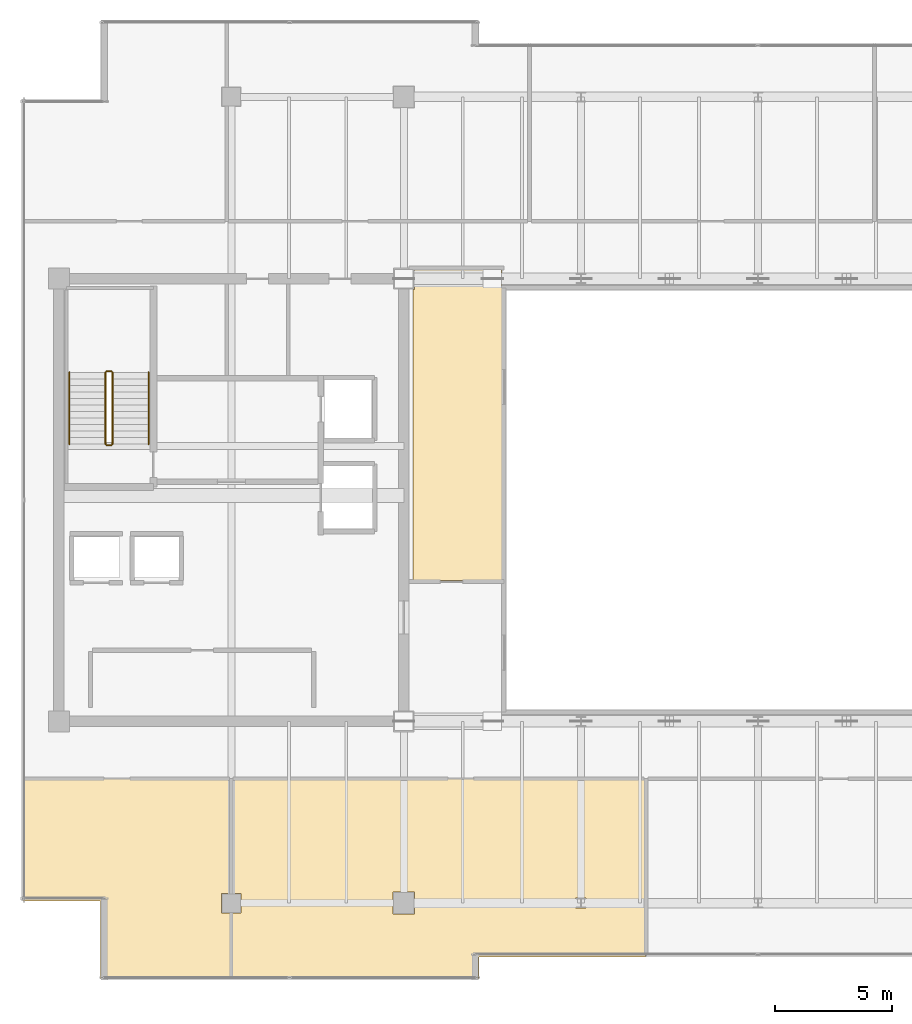
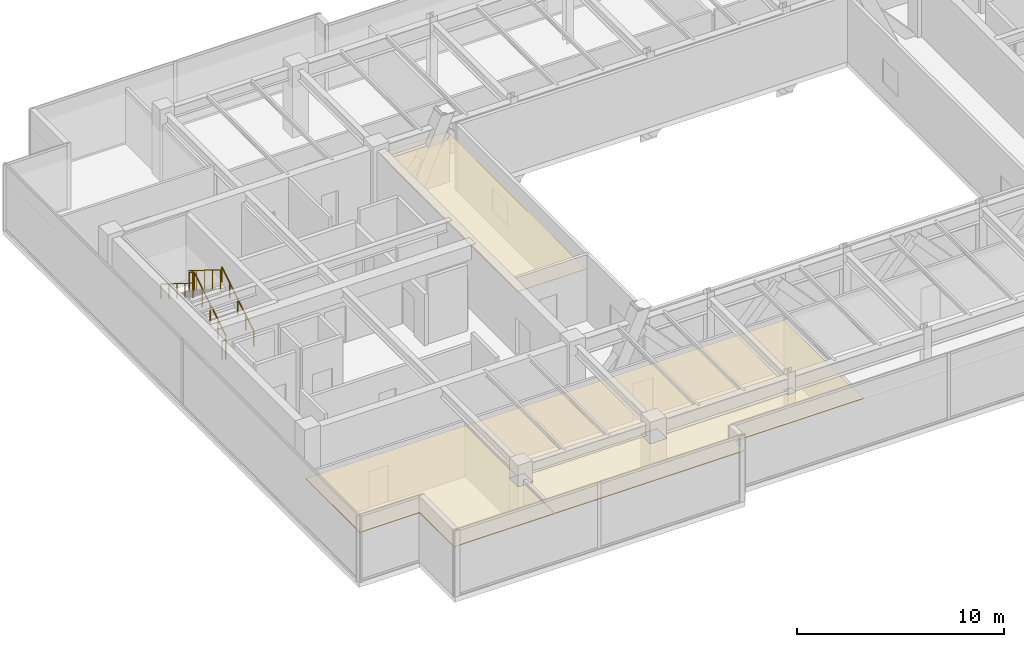
# One storey, part 29 of 32: 6 railings, 3 coverings.
"""IFC4 building model written with IfcOpenShell, lengths in metres."""

from ifc_helpers import new_model, si_unit, direction, frame, origin, origin_2d, place, context, subcontext, project, spatial, polyline, circle, outline, extrude, source, transform, mapped, material, layer, layer_set, type_object, type_shapes, element, save


model = new_model("IFC4")

# Units and contexts
model_context = context("Model", 3, precision=1e-05, world=origin(), true_north=direction((0.0, 1.0)))
body_context = subcontext(model_context, "Body", "Model", "MODEL_VIEW")
ifc_project = project(units=[si_unit("LENGTHUNIT", "METRE"), si_unit("AREAUNIT", "SQUARE_METRE"), si_unit("VOLUMEUNIT", "CUBIC_METRE"), si_unit("PLANEANGLEUNIT", "RADIAN"), si_unit("MASSUNIT", "GRAM", prefix="KILO")], contexts=[model_context])

# Site, building, storey
site_placement = place(None, origin())
site = spatial("IfcSite", under=ifc_project, at=site_placement, CompositionType="ELEMENT")
building_placement = place(site_placement, origin())
building = spatial("IfcBuilding", under=site, at=building_placement, Name="Haelvirn Gate Laboratories", CompositionType="ELEMENT")
storey_placement = place(building_placement, frame((0.0, 0.0, 301.800048828125)))
storey = spatial("IfcBuildingStorey", under=building, at=storey_placement, Name="L72", CompositionType="ELEMENT", Elevation=301.800048828125)

# Coverings
ifc_material_1 = material(Name="Micro-perforated acoustic mineral-fibre laboratory ceiling")
ifc_layer = layer(ifc_material_1, 0.0400390625, Name="COV-CEIL-ACT")
ifc_layer_set = layer_set([ifc_layer], Name="Micro-perforated acoustic mineral-fibre laboratory ceiling")
covering_type = type_object("IfcCoveringType", Name="COV-CEIL-ACT", PredefinedType="CEILING", material=ifc_layer_set)
covering_1_placement = place(storey_placement, frame((0.0, 0.0, 2.929931640625)))
element("IfcCovering", 1, at=covering_1_placement, inside=storey, type_object=covering_type, Name="L72 Laboratory Acoustic Ceiling CEIL-SP-L72-WATRIUM-POD", PredefinedType="CEILING", context=body_context, shape_type="SweptSolid", body=[
    extrude(outline(polyline([(26.409912109375, 34.239990234375), (26.409912109375, 20.840087890625), (22.590087890625, 20.840087890625), (22.590087890625, 33.330078125), (22.669921875, 33.330078125), (22.669921875, 34.239990234375), (26.409912109375, 34.239990234375)])), origin(), (0.0, 0.0, 1.0), 0.0400390625),
])
covering_2_placement = place(storey_placement, frame((0.0, 0.0, 2.929931640625)))
element("IfcCovering", 2, at=covering_2_placement, inside=storey, type_object=covering_type, Name="L72 Laboratory Acoustic Ceiling CEIL-SP-L72-S-01", PredefinedType="CEILING", context=body_context, shape_type="SweptSolid", body=[
    extrude(outline(polyline([(5.85009765625, 7.080078125), (5.85009765625, 12.330078125), (14.780029296875, 12.330078125), (14.780029296875, 7.419921875), (14.3798828125, 7.419921875), (14.3798828125, 6.580078125), (14.780029296875, 6.580078125), (14.780029296875, 3.75), (9.179931640625, 3.75), (9.179931640625, 7.080078125), (5.85009765625, 7.080078125)])), origin(), (0.0, 0.0, 1.0), 0.0400390625),
])
covering_3_placement = place(storey_placement, frame((0.0, 0.0, 2.929931640625)))
element("IfcCovering", 3, at=covering_3_placement, inside=storey, type_object=covering_type, Name="L72 Laboratory Acoustic Ceiling CEIL-SP-L72-S-02", PredefinedType="CEILING", context=body_context, shape_type="SweptSolid", body=[
    extrude(outline(polyline([(32.580078125, 4.679931640625), (25.419921875, 4.679931640625), (25.419921875, 3.75), (14.820068359375, 3.75), (14.820068359375, 6.580078125), (15.219970703125, 6.580078125), (15.219970703125, 7.419921875), (14.820068359375, 7.419921875), (14.820068359375, 12.330078125), (32.580078125, 12.330078125), (32.580078125, 4.679931640625)]), holes=[polyline([(21.72998046875, 7.469970703125), (21.72998046875, 6.530029296875), (22.669921875, 6.530029296875), (22.669921875, 7.469970703125), (21.72998046875, 7.469970703125)]), polyline([(30.02001953125, 7.219970703125), (29.580078125, 7.219970703125), (29.580078125, 6.780029296875), (30.02001953125, 6.780029296875), (30.02001953125, 7.219970703125)])]), origin(), (0.0, 0.0, 1.0), 0.0400390625),
])

# Railings
ifc_material_2 = material(Name="Galvanised steel SM355 & stainless top rail", Category="steel")
railing_type_1 = type_object("IfcRailingType", Name="RL-GUARD-1150", PredefinedType="GUARDRAIL", material=ifc_material_2)
shared_shape_1 = source(origin(), body_context, "Body", "SweptSolid", [
    extrude(circle(Radius=0.02392578125, at=origin_2d()), frame((0.0, 0.0, 1.1259765625), z_axis=(-1.0, 0.0, 0.0), x_axis=(0.0, -1.0, 0.0)), (0.0, 0.0, 1.0), 0.199951171875),
    extrude(circle(Radius=0.02099609375, at=origin_2d()), origin(), (0.0, 0.0, 1.0), 1.101806640625),
    extrude(circle(Radius=0.02099609375, at=origin_2d()), frame((-0.199951171875, 0.0, 0.0)), (0.0, 0.0, 1.0), 1.101806640625),
])
for number, where, name in (
    (4, (9.64990234375, 29.830078125, 2.099853515625), "L72 ST1 stair guard 2"),
    (5, (9.64990234375, 26.64990234375, 0.0), "L72 ST1 stair guard 4"),
):
    element("IfcRailing", number, at=place(storey_placement, frame(where)), inside=storey, type_object=railing_type_1, Name=name, PredefinedType="GUARDRAIL", context=body_context, shape_type="MappedRepresentation", body=[
        mapped(shared_shape_1, transform((0.0, 0.0, 0.0), scale=1.0)),
    ])
shared_shape_2 = source(origin(), body_context, "Body", "SweptSolid", [
    extrude(circle(Radius=0.02392578125, at=origin_2d()), frame((0.0, 0.0, 1.1259765625), z_axis=(0.0, -0.847998304005, 0.529998940003), x_axis=(1.0, 0.0, 0.0)), (0.0, 0.0, 1.0), 3.632080078125),
    extrude(circle(Radius=0.02099609375, at=origin_2d()), origin(), (0.0, 0.0, 1.0), 1.101806640625),
    extrude(circle(Radius=0.02099609375, at=origin_2d()), frame((0.0, -0.77001953125, 0.481201171875)), (0.0, 0.0, 1.0), 1.101806640625),
    extrude(circle(Radius=0.02099609375, at=origin_2d()), frame((0.0, -1.5400390625, 0.96240234375)), (0.0, 0.0, 1.0), 1.101806640625),
    extrude(circle(Radius=0.02099609375, at=origin_2d()), frame((0.0, -2.31005859375, 1.44384765625)), (0.0, 0.0, 1.0), 1.101806640625),
    extrude(circle(Radius=0.02099609375, at=origin_2d()), frame((0.0, -3.080078125, 1.925048828125)), (0.0, 0.0, 1.0), 1.101806640625),
])
railing_1_placement = place(storey_placement, frame((9.39990234375, 29.780029296875, 2.27490234375)))
element("IfcRailing", 6, at=railing_1_placement, inside=storey, type_object=railing_type_1, Name="L72 ST1 stair guard 3", PredefinedType="GUARDRAIL", context=body_context, shape_type="MappedRepresentation", body=[
    mapped(shared_shape_2, transform((0.0, 0.0, 0.0), scale=1.0)),
])
ifc_material_3 = material(Name="Brushed stainless steel 316L", Category="steel")
railing_type_2 = type_object("IfcRailingType", Name="RL-HAND-920", PredefinedType="HANDRAIL", material=ifc_material_3)
shared_shape_3 = source(origin(), body_context, "Body", "SweptSolid", [
    extrude(circle(Radius=0.02392578125, at=origin_2d()), frame((0.0, 0.0, 0.8759765625), z_axis=(0.0, -0.847998304005, 0.529998940003), x_axis=(1.0, 0.0, 0.0)), (0.0, 0.0, 1.0), 3.632080078125),
    extrude(circle(Radius=0.02099609375, at=origin_2d()), origin(), (0.0, 0.0, 1.0), 0.851806640625),
    extrude(circle(Radius=0.02099609375, at=origin_2d()), frame((0.0, -0.77001953125, 0.481201171875)), (0.0, 0.0, 1.0), 0.851806640625),
    extrude(circle(Radius=0.02099609375, at=origin_2d()), frame((0.0, -1.5400390625, 0.96240234375)), (0.0, 0.0, 1.0), 0.851806640625),
    extrude(circle(Radius=0.02099609375, at=origin_2d()), frame((0.0, -2.31005859375, 1.44384765625)), (0.0, 0.0, 1.0), 0.851806640625),
    extrude(circle(Radius=0.02099609375, at=origin_2d()), frame((0.0, -3.080078125, 1.925048828125)), (0.0, 0.0, 1.0), 0.851806640625),
])
railing_2_placement = place(storey_placement, frame((7.85009765625, 29.780029296875, 2.27490234375)))
element("IfcRailing", 7, at=railing_2_placement, inside=storey, type_object=railing_type_2, Name="L72 ST1 stair handrail 2", PredefinedType="HANDRAIL", context=body_context, shape_type="MappedRepresentation", body=[
    mapped(shared_shape_3, transform((0.0, 0.0, 0.0), scale=1.0)),
])
shared_shape_4 = source(origin(), body_context, "Body", "SweptSolid", [
    extrude(circle(Radius=0.02392578125, at=origin_2d()), frame((0.0, 0.0, 1.1259765625), z_axis=(0.0, 0.848028513186, 0.529950602248), x_axis=(-1.0, 0.0, 0.0)), (0.0, 0.0, 1.0), 3.632080078125),
    extrude(circle(Radius=0.02099609375, at=origin_2d()), origin(), (0.0, 0.0, 1.0), 1.101806640625),
    extrude(circle(Radius=0.02099609375, at=origin_2d()), frame((0.0, 0.77001953125, 0.481201171875)), (0.0, 0.0, 1.0), 1.101806640625),
    extrude(circle(Radius=0.02099609375, at=origin_2d()), frame((0.0, 1.5400390625, 0.96240234375)), (0.0, 0.0, 1.0), 1.101806640625),
    extrude(circle(Radius=0.02099609375, at=origin_2d()), frame((0.0, 2.31005859375, 1.443603515625)), (0.0, 0.0, 1.0), 1.101806640625),
    extrude(circle(Radius=0.02099609375, at=origin_2d()), frame((0.0, 3.080078125, 1.9248046875)), (0.0, 0.0, 1.0), 1.101806640625),
])
type_shapes(railing_type_1, [shared_shape_1, shared_shape_2, shared_shape_4])
railing_3_placement = place(storey_placement, frame((9.699951171875, 26.699951171875, 0.175048828125)))
element("IfcRailing", 8, at=railing_3_placement, inside=storey, type_object=railing_type_1, Name="L72 ST1 stair guard 1", PredefinedType="GUARDRAIL", context=body_context, shape_type="MappedRepresentation", body=[
    mapped(shared_shape_4, transform((0.0, 0.0, 0.0), scale=1.0)),
])
shared_shape_5 = source(origin(), body_context, "Body", "SweptSolid", [
    extrude(circle(Radius=0.02392578125, at=origin_2d()), frame((0.0, 0.0, 0.8759765625), z_axis=(0.0, 0.848028513186, 0.529950602248), x_axis=(-1.0, 0.0, 0.0)), (0.0, 0.0, 1.0), 3.632080078125),
    extrude(circle(Radius=0.02099609375, at=origin_2d()), origin(), (0.0, 0.0, 1.0), 0.851806640625),
    extrude(circle(Radius=0.02099609375, at=origin_2d()), frame((0.0, 0.77001953125, 0.481201171875)), (0.0, 0.0, 1.0), 0.851806640625),
    extrude(circle(Radius=0.02099609375, at=origin_2d()), frame((0.0, 1.5400390625, 0.96240234375)), (0.0, 0.0, 1.0), 0.851806640625),
    extrude(circle(Radius=0.02099609375, at=origin_2d()), frame((0.0, 2.31005859375, 1.443603515625)), (0.0, 0.0, 1.0), 0.851806640625),
    extrude(circle(Radius=0.02099609375, at=origin_2d()), frame((0.0, 3.080078125, 1.9248046875)), (0.0, 0.0, 1.0), 0.851806640625),
])
type_shapes(railing_type_2, [shared_shape_3, shared_shape_5])
railing_4_placement = place(storey_placement, frame((11.25, 26.699951171875, 0.175048828125)))
element("IfcRailing", 9, at=railing_4_placement, inside=storey, type_object=railing_type_2, Name="L72 ST1 stair handrail 1", PredefinedType="HANDRAIL", context=body_context, shape_type="MappedRepresentation", body=[
    mapped(shared_shape_5, transform((0.0, 0.0, 0.0), scale=1.0)),
])

save(model, "model.ifc")
